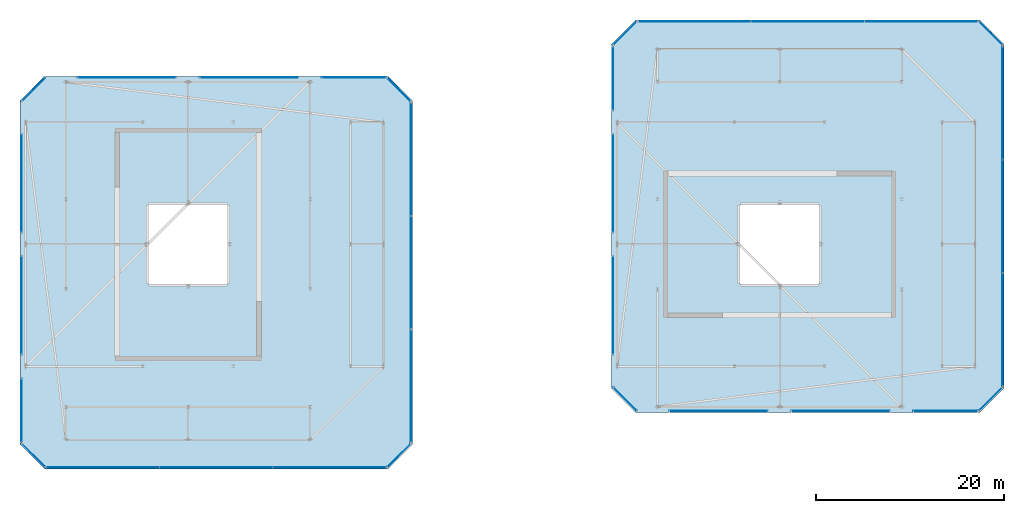
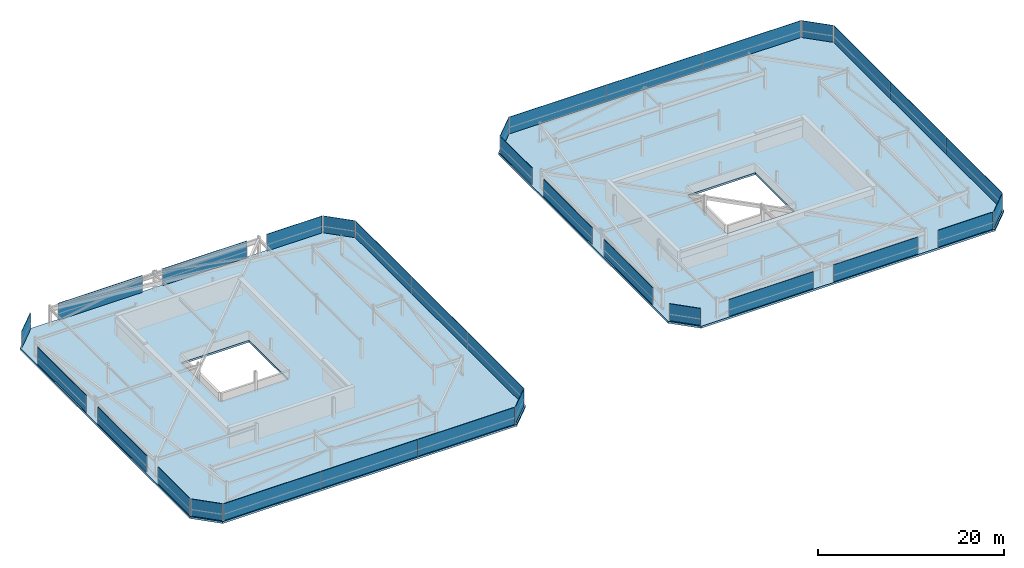
# One storey, part 39 of 44: 32 plates, 2 slabs, 24 elements without a shape of their own.
"""IFC4 building model written with IfcOpenShell, lengths in metres."""

import ifcopenshell
import ifcopenshell.guid

model = None  # the IFC model being written
_history = None  # IfcOwnerHistory: only IFC2X3 demands one
_inside = {}  # id of a spatial element -> (the spatial element, [elements in it])
_under = {}  # id of a project, library or spatial element -> (it, [spatial elements below it])
_declared = {}  # id of a project -> (the project, [libraries it declares])
_typed = {}  # id of a type object -> (the type object, [elements of that type])
_made_of = {}  # id of a material, layer set ... -> (it, [elements and type objects made of it])


def new_model(schema):
    """Start an empty IFC model of exactly this schema.

    Asked for "IFC4X3", IfcOpenShell would pick the latest addendum, in which some entities
    have other attributes; the version numbers below select the first issue.
    IFC2X3 requires an IfcOwnerHistory on every rooted entity: one is made here for all.
    """
    global model, _history
    if schema == "IFC4X3":
        model = ifcopenshell.file(schema_version=(4, 3, 0, 0))
    else:
        model = ifcopenshell.file(schema=schema)
    _inside.clear()
    _under.clear()
    _declared.clear()
    _typed.clear()
    _made_of.clear()
    _history = None
    if model.schema == "IFC2X3":
        org = make("IfcOrganization", Name="unknown")
        user = make(
            "IfcPersonAndOrganization",
            ThePerson=make("IfcPerson", FamilyName="unknown"),
            TheOrganization=org,
        )
        app = make(
            "IfcApplication",
            ApplicationDeveloper=org,
            Version="unknown",
            ApplicationFullName="unknown",
            ApplicationIdentifier="unknown",
        )
        _history = make(
            "IfcOwnerHistory",
            OwningUser=user,
            OwningApplication=app,
            ChangeAction="ADDED",
            CreationDate=0,
        )
    return model


def make(cls, **values):
    """One entity of the class cls with the attributes given. An attribute that is None is left unset."""
    return model.create_entity(
        cls, **{name: value for name, value in values.items() if value is not None}
    )


def rooted(cls, **values):
    """An entity with a GlobalId (a new one), such as an element, a storey or a relation."""
    return make(cls, GlobalId=ifcopenshell.guid.new(), OwnerHistory=_history, **values)


def si_unit(unit_type, name, prefix=None):
    """IfcSIUnit, for example si_unit("LENGTHUNIT", "METRE", prefix="MILLI")."""
    return make("IfcSIUnit", UnitType=unit_type, Prefix=prefix, Name=name)


def assignment(units):
    """IfcUnitAssignment: the units of a project."""
    return None if units is None else make("IfcUnitAssignment", Units=units)


def point(xyz):
    """IfcCartesianPoint."""
    return None if xyz is None else make("IfcCartesianPoint", Coordinates=xyz)


def direction(xyz):
    """IfcDirection."""
    return None if xyz is None else make("IfcDirection", DirectionRatios=xyz)


def frame(location, z_axis=None, x_axis=None):
    """IfcAxis2Placement3D, a coordinate frame: its origin and axes. An axis left out is left unset."""
    return make(
        "IfcAxis2Placement3D",
        Location=point(location),
        Axis=direction(z_axis),
        RefDirection=direction(x_axis),
    )


def frame_2d(location, x_axis=None):
    """IfcAxis2Placement2D, a coordinate frame in the plane: its origin and x axis."""
    return make(
        "IfcAxis2Placement2D", Location=point(location), RefDirection=direction(x_axis)
    )


def origin():
    """The frame at (0, 0, 0) with its axes left unset."""
    return frame((0.0, 0.0, 0.0))


def origin_2d():
    """The frame at (0, 0) in the plane with its x axis left unset."""
    return frame_2d((0.0, 0.0))


def place(relative_to, where):
    """IfcLocalPlacement: puts the frame where relative to a parent placement (None: the world)."""
    return make(
        "IfcLocalPlacement", PlacementRelTo=relative_to, RelativePlacement=where
    )


def context(
    kind, dimensions, precision=None, world=None, true_north=None, identifier=None
):
    """IfcGeometricRepresentationContext, for example the 3D "Model" context."""
    return make(
        "IfcGeometricRepresentationContext",
        ContextIdentifier=identifier,
        ContextType=kind,
        CoordinateSpaceDimension=dimensions,
        Precision=precision,
        WorldCoordinateSystem=world,
        TrueNorth=true_north,
    )


def subcontext(parent, identifier, kind, view, scale=None):
    """IfcGeometricRepresentationSubContext, for example "Body" below "Model"."""
    return make(
        "IfcGeometricRepresentationSubContext",
        ContextIdentifier=identifier,
        ContextType=kind,
        ParentContext=parent,
        TargetScale=scale,
        TargetView=view,
    )


def project(units=None, contexts=None):
    """IfcProject with its units and contexts."""
    return rooted(
        "IfcProject",
        Name="project",
        RepresentationContexts=contexts,
        UnitsInContext=assignment(units),
    )


def spatial(cls, under=None, at=None, **own):
    """A site, building, storey or space (cls), placed at a placement, below another one or the project."""
    s = rooted(cls, ObjectPlacement=at, **own)
    if under is not None:
        _under.setdefault(under.id(), (under, []))[1].append(s)
    return s


def polyline(points):
    """IfcPolyline through the points."""
    return make("IfcPolyline", Points=[point(p) for p in points])


def profile(cls, at=None, kind="AREA", **sizes):
    """A parametric profile (cls). Its sizes go by their IFC names, for example OverallWidth=200.0."""
    return make(cls, ProfileType=kind, Position=at, **sizes)


def rectangle(**sizes):
    """IfcRectangleProfileDef."""
    return profile("IfcRectangleProfileDef", **sizes)


def outline(outer, holes=None, kind="AREA"):
    """IfcArbitraryClosedProfileDef: a profile drawn as a closed curve; with holes, ...WithVoids."""
    if holes is None:
        return make("IfcArbitraryClosedProfileDef", ProfileType=kind, OuterCurve=outer)
    return make(
        "IfcArbitraryProfileDefWithVoids",
        ProfileType=kind,
        OuterCurve=outer,
        InnerCurves=holes,
    )


def extrude(swept, where, along, depth):
    """IfcExtrudedAreaSolid: the profile swept, set in the frame where, extruded along a direction by depth."""
    return make(
        "IfcExtrudedAreaSolid",
        SweptArea=swept,
        Position=where,
        ExtrudedDirection=direction(along),
        Depth=depth,
    )


def shape(context_of_items, identifier, shape_type, items):
    """IfcShapeRepresentation: the items that make up one representation, for example the "Body"."""
    return make(
        "IfcShapeRepresentation",
        ContextOfItems=context_of_items,
        RepresentationIdentifier=identifier,
        RepresentationType=shape_type,
        Items=items,
    )


def material(Name=None, Category=None):
    """IfcMaterial."""
    return make("IfcMaterial", Name=Name, Category=Category)


def layer(
    of_material, thickness, ventilated=None, Name=None, Category=None, Priority=None
):
    """IfcMaterialLayer: one layer of a wall or slab, of a material (None: an air gap)."""
    return make(
        "IfcMaterialLayer",
        Material=of_material,
        LayerThickness=thickness,
        IsVentilated=ventilated,
        Name=Name,
        Category=Category,
        Priority=Priority,
    )


def layer_set(layers, Name=None):
    """IfcMaterialLayerSet."""
    return make("IfcMaterialLayerSet", MaterialLayers=layers, LayerSetName=Name)


def made_of(thing, what):
    """Note that an element or type object is made of a material, layer set ...; save() writes the relation."""
    if what is not None:
        _made_of.setdefault(what.id(), (what, []))[1].append(thing)
    return thing


def type_object(cls, material=None, **own):
    """A type object (cls), such as IfcWallType, which elements share."""
    return made_of(rooted(cls, **own), material)


def element(
    cls,
    number,
    at=None,
    inside=None,
    cuts=None,
    type_object=None,
    material=None,
    context=None,
    identifier="Body",
    shape_type=None,
    held_by="IfcProductDefinitionShape",
    body=None,
    shapes=None,
    **own,
):
    """One element of the class cls, such as IfcWall. Its Tag is "e" and its number.

    at: its placement. inside: the storey or other place that contains it. cuts: it is an
    opening in that element (IfcRelVoidsElement). A single representation is given by context,
    identifier, shape_type and body (its items); several are given by shapes. held_by: the class
    of the entity that holds the representations. save() writes the other relations.
    """
    e = rooted(cls, Tag="e%d" % number, ObjectPlacement=at, **own)
    if body is not None:
        shapes = [shape(context, identifier, shape_type, body)]
    if shapes is not None:
        e.Representation = make(held_by, Representations=shapes)
    if inside is not None:
        _inside.setdefault(inside.id(), (inside, []))[1].append(e)
    if cuts is not None:
        rooted(
            "IfcRelVoidsElement", RelatingBuildingElement=cuts, RelatedOpeningElement=e
        )
    if type_object is not None:
        _typed.setdefault(type_object.id(), (type_object, []))[1].append(e)
    return made_of(e, material)


def aggregate(whole, parts):
    """IfcRelAggregates: a whole, such as a stair, and the parts it consists of."""
    return rooted("IfcRelAggregates", RelatingObject=whole, RelatedObjects=parts)


def save(model, path):
    """Write the relations noted so far, then the file.

    IfcRelAggregates (storeys below a building ...), IfcRelContainedInSpatialStructure (elements
    in a storey), IfcRelDefinesByType, IfcRelAssociatesMaterial and IfcRelDeclares: one each for
    every whole, place, type object, material and project.
    """
    for whole, parts in _under.values():
        aggregate(whole, parts)
    for where, things in _inside.values():
        rooted(
            "IfcRelContainedInSpatialStructure",
            RelatedElements=things,
            RelatingStructure=where,
        )
    for kind, things in _typed.values():
        rooted("IfcRelDefinesByType", RelatedObjects=things, RelatingType=kind)
    for what, things in _made_of.values():
        rooted("IfcRelAssociatesMaterial", RelatedObjects=things, RelatingMaterial=what)
    for by, libraries in _declared.values():
        rooted("IfcRelDeclares", RelatingContext=by, RelatedDefinitions=libraries)
    model.write(path)


model = new_model("IFC4")

# Units and contexts
model_context = context("Model", 3, precision=1e-05, world=origin(), true_north=direction((0.0, 1.0)))
body_context = subcontext(model_context, "Body", "Model", "MODEL_VIEW")
ifc_project = project(units=[si_unit("LENGTHUNIT", "METRE"), si_unit("AREAUNIT", "SQUARE_METRE"), si_unit("VOLUMEUNIT", "CUBIC_METRE"), si_unit("PLANEANGLEUNIT", "RADIAN"), si_unit("MASSUNIT", "GRAM", prefix="KILO")], contexts=[model_context])

# Site, building, storey
site_placement = place(None, origin())
site = spatial("IfcSite", under=ifc_project, at=site_placement, CompositionType="ELEMENT")
building_placement = place(site_placement, origin())
building = spatial("IfcBuilding", under=site, at=building_placement, Name="Thornwick Lancets Civic Towers", CompositionType="ELEMENT")
storey_placement = place(building_placement, frame((0.0, 0.0, 292.199951171875)))
storey = spatial("IfcBuildingStorey", under=building, at=storey_placement, Name="C05", CompositionType="ELEMENT", Elevation=292.199951171875)

# Curtain wall, plates
ifc_material_1 = material(Name="Crown ring acoustic-louvre and glazing screen wall", Category="glass")
curtain_wall_type = type_object("IfcCurtainWallType", Name="CW_SYS_07", PredefinedType="NOTDEFINED", material=ifc_material_1)
curtain_wall_1_placement = place(storey_placement, origin())
curtain_wall_1 = element("IfcCurtainWall", 1, at=curtain_wall_1_placement, inside=storey, type_object=curtain_wall_type, Name="C05 Curtain Wall CW-C05-A-E0", PredefinedType="NOTDEFINED")
ifc_material_2 = material(Name="Terracotta acoustic louvre screen", Category="masonry")
ifc_layer_1 = layer(ifc_material_2, 0.050048828125, Name="Terracotta acoustic louvre screen")
ifc_layer_set_1 = layer_set([ifc_layer_1], Name="Terracotta acoustic louvre screen")
plate_type = type_object("IfcPlateType", Name="CW_PNL_LOUVRE", PredefinedType="SHEET", material=ifc_layer_set_1)
plate_1_placement = place(storey_placement, frame((16.432373046875, 3.2353515625, 0.0), z_axis=(0.0, 0.0, 1.0), x_axis=(1.0, 0.0, 0.0)))
plate_1 = element("IfcPlate", 2, at=plate_1_placement, type_object=plate_type, Name="CW-C05-A-E0 Panel 0", PredefinedType="SHEET", context=body_context, shape_type="SweptSolid", body=[
    extrude(rectangle(XDim=12.063720703125, YDim=0.050048828125, at=origin_2d()), origin(), (0.0, 0.0, 1.0), 2.219970703125),
])
plate_2_placement = place(storey_placement, frame((28.5, 3.2353515625, 0.0), z_axis=(0.0, 0.0, 1.0), x_axis=(1.0, 0.0, 0.0)))
plate_2 = element("IfcPlate", 3, at=plate_2_placement, type_object=plate_type, Name="CW-C05-A-E0 Panel 1", PredefinedType="SHEET", context=body_context, shape_type="SweptSolid", body=[
    extrude(rectangle(XDim=12.063720703125, YDim=0.050048828125, at=origin_2d()), origin(), (0.0, 0.0, 1.0), 2.219970703125),
])
plate_3_placement = place(storey_placement, frame((40.567626953125, 3.2353515625, 0.0), z_axis=(0.0, 0.0, 1.0), x_axis=(1.0, 0.0, 0.0)))
plate_3 = element("IfcPlate", 4, at=plate_3_placement, type_object=plate_type, Name="CW-C05-A-E0 Panel 2", PredefinedType="SHEET", context=body_context, shape_type="SweptSolid", body=[
    extrude(rectangle(XDim=12.063720703125, YDim=0.050048828125, at=origin_2d()), origin(), (0.0, 0.0, 1.0), 2.219970703125),
])
aggregate(curtain_wall_1, [plate_1, plate_2, plate_3])

# Curtain wall, plate
curtain_wall_2_placement = place(storey_placement, origin())
curtain_wall_2 = element("IfcCurtainWall", 5, at=curtain_wall_2_placement, inside=storey, type_object=curtain_wall_type, Name="C05 Curtain Wall CW-C05-A-E1", PredefinedType="NOTDEFINED")
plate_4_placement = place(storey_placement, frame((47.972900390625, 4.527099609375, 0.0), z_axis=(0.0, 0.0, 1.0), x_axis=(0.707106781187, 0.707106781187, 0.0)))
plate_4 = element("IfcPlate", 6, at=plate_4_placement, type_object=plate_type, Name="CW-C05-A-E1 Panel 0", PredefinedType="SHEET", context=body_context, shape_type="SweptSolid", body=[
    extrude(rectangle(XDim=3.4892578125, YDim=0.050048828125, at=origin_2d()), origin(), (0.0, 0.0, 1.0), 2.219970703125),
])
aggregate(curtain_wall_2, [plate_4])

# Curtain wall, plates
curtain_wall_3_placement = place(storey_placement, origin())
curtain_wall_3 = element("IfcCurtainWall", 7, at=curtain_wall_3_placement, inside=storey, type_object=curtain_wall_type, Name="C05 Curtain Wall CW-C05-A-E2", PredefinedType="NOTDEFINED")
plate_5_placement = place(storey_placement, frame((49.2646484375, 11.932373046875, 0.0), z_axis=(0.0, 0.0, 1.0), x_axis=(0.0, 1.0, 0.0)))
plate_5 = element("IfcPlate", 8, at=plate_5_placement, type_object=plate_type, Name="CW-C05-A-E2 Panel 0", PredefinedType="SHEET", context=body_context, shape_type="SweptSolid", body=[
    extrude(rectangle(XDim=12.063720703125, YDim=0.050048828125, at=origin_2d()), origin(), (0.0, 0.0, 1.0), 2.219970703125),
])
plate_6_placement = place(storey_placement, frame((49.2646484375, 24.0, 0.0), z_axis=(0.0, 0.0, 1.0), x_axis=(0.0, 1.0, 0.0)))
plate_6 = element("IfcPlate", 9, at=plate_6_placement, type_object=plate_type, Name="CW-C05-A-E2 Panel 1", PredefinedType="SHEET", context=body_context, shape_type="SweptSolid", body=[
    extrude(rectangle(XDim=12.063720703125, YDim=0.050048828125, at=origin_2d()), origin(), (0.0, 0.0, 1.0), 2.219970703125),
])
plate_7_placement = place(storey_placement, frame((49.2646484375, 36.067626953125, 0.0), z_axis=(0.0, 0.0, 1.0), x_axis=(0.0, 1.0, 0.0)))
plate_7 = element("IfcPlate", 10, at=plate_7_placement, type_object=plate_type, Name="CW-C05-A-E2 Panel 2", PredefinedType="SHEET", context=body_context, shape_type="SweptSolid", body=[
    extrude(rectangle(XDim=12.063720703125, YDim=0.050048828125, at=origin_2d()), origin(), (0.0, 0.0, 1.0), 2.219970703125),
])
aggregate(curtain_wall_3, [plate_5, plate_6, plate_7])

# Curtain wall, plate
curtain_wall_4_placement = place(storey_placement, origin())
curtain_wall_4 = element("IfcCurtainWall", 11, at=curtain_wall_4_placement, inside=storey, type_object=curtain_wall_type, Name="C05 Curtain Wall CW-C05-A-E3", PredefinedType="NOTDEFINED")
plate_8_placement = place(storey_placement, frame((47.972900390625, 43.472900390625, 0.0), z_axis=(0.0, 0.0, 1.0), x_axis=(-0.707106781187, 0.707106781187, 0.0)))
plate_8 = element("IfcPlate", 12, at=plate_8_placement, type_object=plate_type, Name="CW-C05-A-E3 Panel 0", PredefinedType="SHEET", context=body_context, shape_type="SweptSolid", body=[
    extrude(rectangle(XDim=3.4892578125, YDim=0.050048828125, at=origin_2d()), origin(), (0.0, 0.0, 1.0), 2.219970703125),
])
aggregate(curtain_wall_4, [plate_8])

curtain_wall_5_placement = place(storey_placement, origin())
curtain_wall_5 = element("IfcCurtainWall", 13, at=curtain_wall_5_placement, inside=storey, type_object=curtain_wall_type, Name="C05 Curtain Wall CW-C05-A-E4-S1", PredefinedType="NOTDEFINED")
plate_9_placement = place(storey_placement, frame((43.17578125, 44.7646484375, 0.0), z_axis=(0.0, 0.0, 1.0), x_axis=(-1.0, 0.0, 0.0)))
plate_9 = element("IfcPlate", 14, at=plate_9_placement, type_object=plate_type, Name="CW-C05-A-E4-S1 Panel 0", PredefinedType="SHEET", context=body_context, shape_type="SweptSolid", body=[
    extrude(rectangle(XDim=6.847412109375, YDim=0.050048828125, at=origin_2d()), origin(), (0.0, 0.0, 1.0), 2.219970703125),
])
aggregate(curtain_wall_5, [plate_9])

curtain_wall_6_placement = place(storey_placement, origin())
curtain_wall_6 = element("IfcCurtainWall", 15, at=curtain_wall_6_placement, inside=storey, type_object=curtain_wall_type, Name="C05 Curtain Wall CW-C05-A-E4-S2", PredefinedType="NOTDEFINED")
plate_10_placement = place(storey_placement, frame((32.0, 44.7646484375, 0.0), z_axis=(0.0, 0.0, 1.0), x_axis=(-1.0, 0.0, 0.0)))
plate_10 = element("IfcPlate", 16, at=plate_10_placement, type_object=plate_type, Name="CW-C05-A-E4-S2 Panel 0", PredefinedType="SHEET", context=body_context, shape_type="SweptSolid", body=[
    extrude(rectangle(XDim=10.49609375, YDim=0.050048828125, at=origin_2d()), origin(), (0.0, 0.0, 1.0), 2.219970703125),
])
aggregate(curtain_wall_6, [plate_10])

curtain_wall_7_placement = place(storey_placement, origin())
curtain_wall_7 = element("IfcCurtainWall", 17, at=curtain_wall_7_placement, inside=storey, type_object=curtain_wall_type, Name="C05 Curtain Wall CW-C05-A-E4-S3", PredefinedType="NOTDEFINED")
plate_11_placement = place(storey_placement, frame((19.0, 44.7646484375, 0.0), z_axis=(0.0, 0.0, 1.0), x_axis=(-1.0, 0.0, 0.0)))
plate_11 = element("IfcPlate", 18, at=plate_11_placement, type_object=plate_type, Name="CW-C05-A-E4-S3 Panel 0", PredefinedType="SHEET", context=body_context, shape_type="SweptSolid", body=[
    extrude(rectangle(XDim=10.49609375, YDim=0.050048828125, at=origin_2d()), origin(), (0.0, 0.0, 1.0), 2.219970703125),
])
aggregate(curtain_wall_7, [plate_11])

curtain_wall_8_placement = place(storey_placement, origin())
curtain_wall_8 = element("IfcCurtainWall", 19, at=curtain_wall_8_placement, inside=storey, type_object=curtain_wall_type, Name="C05 Curtain Wall CW-C05-A-E5", PredefinedType="NOTDEFINED")
plate_12_placement = place(storey_placement, frame((9.027099609375, 43.472900390625, 0.0), z_axis=(0.0, 0.0, 1.0), x_axis=(-0.707106781187, -0.707106781187, 0.0)))
plate_12 = element("IfcPlate", 20, at=plate_12_placement, type_object=plate_type, Name="CW-C05-A-E5 Panel 0", PredefinedType="SHEET", context=body_context, shape_type="SweptSolid", body=[
    extrude(rectangle(XDim=3.4892578125, YDim=0.050048828125, at=origin_2d()), origin(), (0.0, 0.0, 1.0), 2.219970703125),
])
aggregate(curtain_wall_8, [plate_12])

curtain_wall_9_placement = place(storey_placement, origin())
curtain_wall_9 = element("IfcCurtainWall", 21, at=curtain_wall_9_placement, inside=storey, type_object=curtain_wall_type, Name="C05 Curtain Wall CW-C05-A-E6-S1", PredefinedType="NOTDEFINED")
plate_13_placement = place(storey_placement, frame((7.7353515625, 33.5, 0.0), z_axis=(0.0, 0.0, 1.0), x_axis=(0.0, -1.0, 0.0)))
plate_13 = element("IfcPlate", 22, at=plate_13_placement, type_object=plate_type, Name="CW-C05-A-E6-S1 Panel 0", PredefinedType="SHEET", context=body_context, shape_type="SweptSolid", body=[
    extrude(rectangle(XDim=10.49609375, YDim=0.050048828125, at=origin_2d()), origin(), (0.0, 0.0, 1.0), 2.219970703125),
])
aggregate(curtain_wall_9, [plate_13])

curtain_wall_10_placement = place(storey_placement, origin())
curtain_wall_10 = element("IfcCurtainWall", 23, at=curtain_wall_10_placement, inside=storey, type_object=curtain_wall_type, Name="C05 Curtain Wall CW-C05-A-E6-S2", PredefinedType="NOTDEFINED")
plate_14_placement = place(storey_placement, frame((7.7353515625, 20.5, 0.0), z_axis=(0.0, 0.0, 1.0), x_axis=(0.0, -1.0, 0.0)))
plate_14 = element("IfcPlate", 24, at=plate_14_placement, type_object=plate_type, Name="CW-C05-A-E6-S2 Panel 0", PredefinedType="SHEET", context=body_context, shape_type="SweptSolid", body=[
    extrude(rectangle(XDim=10.49609375, YDim=0.050048828125, at=origin_2d()), origin(), (0.0, 0.0, 1.0), 2.219970703125),
])
aggregate(curtain_wall_10, [plate_14])

curtain_wall_11_placement = place(storey_placement, origin())
curtain_wall_11 = element("IfcCurtainWall", 25, at=curtain_wall_11_placement, inside=storey, type_object=curtain_wall_type, Name="C05 Curtain Wall CW-C05-A-E6-S3", PredefinedType="NOTDEFINED")
plate_15_placement = place(storey_placement, frame((7.7353515625, 9.32421875, 0.0), z_axis=(0.0, 0.0, 1.0), x_axis=(0.0, -1.0, 0.0)))
plate_15 = element("IfcPlate", 26, at=plate_15_placement, type_object=plate_type, Name="CW-C05-A-E6-S3 Panel 0", PredefinedType="SHEET", context=body_context, shape_type="SweptSolid", body=[
    extrude(rectangle(XDim=6.847412109375, YDim=0.050048828125, at=origin_2d()), origin(), (0.0, 0.0, 1.0), 2.219970703125),
])
aggregate(curtain_wall_11, [plate_15])

curtain_wall_12_placement = place(storey_placement, origin())
curtain_wall_12 = element("IfcCurtainWall", 27, at=curtain_wall_12_placement, inside=storey, type_object=curtain_wall_type, Name="C05 Curtain Wall CW-C05-A-E7", PredefinedType="NOTDEFINED")
plate_16_placement = place(storey_placement, frame((9.027099609375, 4.527099609375, 0.0), z_axis=(0.0, 0.0, 1.0), x_axis=(0.707106781187, -0.707106781187, 0.0)))
plate_16 = element("IfcPlate", 28, at=plate_16_placement, type_object=plate_type, Name="CW-C05-A-E7 Panel 0", PredefinedType="SHEET", context=body_context, shape_type="SweptSolid", body=[
    extrude(rectangle(XDim=3.4892578125, YDim=0.050048828125, at=origin_2d()), origin(), (0.0, 0.0, 1.0), 2.219970703125),
])
aggregate(curtain_wall_12, [plate_16])

curtain_wall_13_placement = place(storey_placement, origin())
curtain_wall_13 = element("IfcCurtainWall", 29, at=curtain_wall_13_placement, inside=storey, type_object=curtain_wall_type, Name="C05 Curtain Wall CW-C05-B-E0-S1", PredefinedType="NOTDEFINED")
plate_17_placement = place(storey_placement, frame((82.0, 9.2353515625, 0.0), z_axis=(0.0, 0.0, 1.0), x_axis=(1.0, 0.0, 0.0)))
plate_17 = element("IfcPlate", 30, at=plate_17_placement, type_object=plate_type, Name="CW-C05-B-E0-S1 Panel 0", PredefinedType="SHEET", context=body_context, shape_type="SweptSolid", body=[
    extrude(rectangle(XDim=10.49609375, YDim=0.050048828125, at=origin_2d()), origin(), (0.0, 0.0, 1.0), 2.219970703125),
])
aggregate(curtain_wall_13, [plate_17])

curtain_wall_14_placement = place(storey_placement, origin())
curtain_wall_14 = element("IfcCurtainWall", 31, at=curtain_wall_14_placement, inside=storey, type_object=curtain_wall_type, Name="C05 Curtain Wall CW-C05-B-E0-S2", PredefinedType="NOTDEFINED")
plate_18_placement = place(storey_placement, frame((95.0, 9.2353515625, 0.0), z_axis=(0.0, 0.0, 1.0), x_axis=(1.0, 0.0, 0.0)))
plate_18 = element("IfcPlate", 32, at=plate_18_placement, type_object=plate_type, Name="CW-C05-B-E0-S2 Panel 0", PredefinedType="SHEET", context=body_context, shape_type="SweptSolid", body=[
    extrude(rectangle(XDim=10.49609375, YDim=0.050048828125, at=origin_2d()), origin(), (0.0, 0.0, 1.0), 2.219970703125),
])
aggregate(curtain_wall_14, [plate_18])

curtain_wall_15_placement = place(storey_placement, origin())
curtain_wall_15 = element("IfcCurtainWall", 33, at=curtain_wall_15_placement, inside=storey, type_object=curtain_wall_type, Name="C05 Curtain Wall CW-C05-B-E0-S3", PredefinedType="NOTDEFINED")
plate_19_placement = place(storey_placement, frame((106.17578125, 9.2353515625, 0.0), z_axis=(0.0, 0.0, 1.0), x_axis=(1.0, 0.0, 0.0)))
plate_19 = element("IfcPlate", 34, at=plate_19_placement, type_object=plate_type, Name="CW-C05-B-E0-S3 Panel 0", PredefinedType="SHEET", context=body_context, shape_type="SweptSolid", body=[
    extrude(rectangle(XDim=6.847412109375, YDim=0.050048828125, at=origin_2d()), origin(), (0.0, 0.0, 1.0), 2.219970703125),
])
aggregate(curtain_wall_15, [plate_19])

curtain_wall_16_placement = place(storey_placement, origin())
curtain_wall_16 = element("IfcCurtainWall", 35, at=curtain_wall_16_placement, inside=storey, type_object=curtain_wall_type, Name="C05 Curtain Wall CW-C05-B-E1", PredefinedType="NOTDEFINED")
plate_20_placement = place(storey_placement, frame((110.972900390625, 10.527099609375, 0.0), z_axis=(0.0, 0.0, 1.0), x_axis=(0.707106781187, 0.707106781187, 0.0)))
plate_20 = element("IfcPlate", 36, at=plate_20_placement, type_object=plate_type, Name="CW-C05-B-E1 Panel 0", PredefinedType="SHEET", context=body_context, shape_type="SweptSolid", body=[
    extrude(rectangle(XDim=3.4892578125, YDim=0.050048828125, at=origin_2d()), origin(), (0.0, 0.0, 1.0), 2.219970703125),
])
aggregate(curtain_wall_16, [plate_20])

# Curtain wall, plates
curtain_wall_17_placement = place(storey_placement, origin())
curtain_wall_17 = element("IfcCurtainWall", 37, at=curtain_wall_17_placement, inside=storey, type_object=curtain_wall_type, Name="C05 Curtain Wall CW-C05-B-E2", PredefinedType="NOTDEFINED")
plate_21_placement = place(storey_placement, frame((112.2646484375, 17.932373046875, 0.0), z_axis=(0.0, 0.0, 1.0), x_axis=(0.0, 1.0, 0.0)))
plate_21 = element("IfcPlate", 38, at=plate_21_placement, type_object=plate_type, Name="CW-C05-B-E2 Panel 0", PredefinedType="SHEET", context=body_context, shape_type="SweptSolid", body=[
    extrude(rectangle(XDim=12.063720703125, YDim=0.050048828125, at=origin_2d()), origin(), (0.0, 0.0, 1.0), 2.219970703125),
])
plate_22_placement = place(storey_placement, frame((112.2646484375, 30.0, 0.0), z_axis=(0.0, 0.0, 1.0), x_axis=(0.0, 1.0, 0.0)))
plate_22 = element("IfcPlate", 39, at=plate_22_placement, type_object=plate_type, Name="CW-C05-B-E2 Panel 1", PredefinedType="SHEET", context=body_context, shape_type="SweptSolid", body=[
    extrude(rectangle(XDim=12.063720703125, YDim=0.050048828125, at=origin_2d()), origin(), (0.0, 0.0, 1.0), 2.219970703125),
])
plate_23_placement = place(storey_placement, frame((112.2646484375, 42.067626953125, 0.0), z_axis=(0.0, 0.0, 1.0), x_axis=(0.0, 1.0, 0.0)))
plate_23 = element("IfcPlate", 40, at=plate_23_placement, type_object=plate_type, Name="CW-C05-B-E2 Panel 2", PredefinedType="SHEET", context=body_context, shape_type="SweptSolid", body=[
    extrude(rectangle(XDim=12.063720703125, YDim=0.050048828125, at=origin_2d()), origin(), (0.0, 0.0, 1.0), 2.219970703125),
])
aggregate(curtain_wall_17, [plate_21, plate_22, plate_23])

# Curtain wall, plate
curtain_wall_18_placement = place(storey_placement, origin())
curtain_wall_18 = element("IfcCurtainWall", 41, at=curtain_wall_18_placement, inside=storey, type_object=curtain_wall_type, Name="C05 Curtain Wall CW-C05-B-E3", PredefinedType="NOTDEFINED")
plate_24_placement = place(storey_placement, frame((110.972900390625, 49.472900390625, 0.0), z_axis=(0.0, 0.0, 1.0), x_axis=(-0.707106781187, 0.707106781187, 0.0)))
plate_24 = element("IfcPlate", 42, at=plate_24_placement, type_object=plate_type, Name="CW-C05-B-E3 Panel 0", PredefinedType="SHEET", context=body_context, shape_type="SweptSolid", body=[
    extrude(rectangle(XDim=3.4892578125, YDim=0.050048828125, at=origin_2d()), origin(), (0.0, 0.0, 1.0), 2.219970703125),
])
aggregate(curtain_wall_18, [plate_24])

# Curtain wall, plates
curtain_wall_19_placement = place(storey_placement, origin())
curtain_wall_19 = element("IfcCurtainWall", 43, at=curtain_wall_19_placement, inside=storey, type_object=curtain_wall_type, Name="C05 Curtain Wall CW-C05-B-E4", PredefinedType="NOTDEFINED")
plate_25_placement = place(storey_placement, frame((103.567626953125, 50.7646484375, 0.0), z_axis=(0.0, 0.0, 1.0), x_axis=(-1.0, 0.0, 0.0)))
plate_25 = element("IfcPlate", 44, at=plate_25_placement, type_object=plate_type, Name="CW-C05-B-E4 Panel 0", PredefinedType="SHEET", context=body_context, shape_type="SweptSolid", body=[
    extrude(rectangle(XDim=12.063720703125, YDim=0.050048828125, at=origin_2d()), origin(), (0.0, 0.0, 1.0), 2.219970703125),
])
plate_26_placement = place(storey_placement, frame((91.5, 50.7646484375, 0.0), z_axis=(0.0, 0.0, 1.0), x_axis=(-1.0, 0.0, 0.0)))
plate_26 = element("IfcPlate", 45, at=plate_26_placement, type_object=plate_type, Name="CW-C05-B-E4 Panel 1", PredefinedType="SHEET", context=body_context, shape_type="SweptSolid", body=[
    extrude(rectangle(XDim=12.063720703125, YDim=0.050048828125, at=origin_2d()), origin(), (0.0, 0.0, 1.0), 2.219970703125),
])
plate_27_placement = place(storey_placement, frame((79.432373046875, 50.7646484375, 0.0), z_axis=(0.0, 0.0, 1.0), x_axis=(-1.0, 0.0, 0.0)))
plate_27 = element("IfcPlate", 46, at=plate_27_placement, type_object=plate_type, Name="CW-C05-B-E4 Panel 2", PredefinedType="SHEET", context=body_context, shape_type="SweptSolid", body=[
    extrude(rectangle(XDim=12.063720703125, YDim=0.050048828125, at=origin_2d()), origin(), (0.0, 0.0, 1.0), 2.219970703125),
])
aggregate(curtain_wall_19, [plate_25, plate_26, plate_27])

# Curtain wall, plate
curtain_wall_20_placement = place(storey_placement, origin())
curtain_wall_20 = element("IfcCurtainWall", 47, at=curtain_wall_20_placement, inside=storey, type_object=curtain_wall_type, Name="C05 Curtain Wall CW-C05-B-E5", PredefinedType="NOTDEFINED")
plate_28_placement = place(storey_placement, frame((72.027099609375, 49.472900390625, 0.0), z_axis=(0.0, 0.0, 1.0), x_axis=(-0.707106781187, -0.707106781187, 0.0)))
plate_28 = element("IfcPlate", 48, at=plate_28_placement, type_object=plate_type, Name="CW-C05-B-E5 Panel 0", PredefinedType="SHEET", context=body_context, shape_type="SweptSolid", body=[
    extrude(rectangle(XDim=3.4892578125, YDim=0.050048828125, at=origin_2d()), origin(), (0.0, 0.0, 1.0), 2.219970703125),
])
aggregate(curtain_wall_20, [plate_28])

curtain_wall_21_placement = place(storey_placement, origin())
curtain_wall_21 = element("IfcCurtainWall", 49, at=curtain_wall_21_placement, inside=storey, type_object=curtain_wall_type, Name="C05 Curtain Wall CW-C05-B-E6-S1", PredefinedType="NOTDEFINED")
plate_29_placement = place(storey_placement, frame((70.7353515625, 44.67578125, 0.0), z_axis=(0.0, 0.0, 1.0), x_axis=(0.0, -1.0, 0.0)))
plate_29 = element("IfcPlate", 50, at=plate_29_placement, type_object=plate_type, Name="CW-C05-B-E6-S1 Panel 0", PredefinedType="SHEET", context=body_context, shape_type="SweptSolid", body=[
    extrude(rectangle(XDim=6.847412109375, YDim=0.050048828125, at=origin_2d()), origin(), (0.0, 0.0, 1.0), 2.219970703125),
])
aggregate(curtain_wall_21, [plate_29])

curtain_wall_22_placement = place(storey_placement, origin())
curtain_wall_22 = element("IfcCurtainWall", 51, at=curtain_wall_22_placement, inside=storey, type_object=curtain_wall_type, Name="C05 Curtain Wall CW-C05-B-E6-S2", PredefinedType="NOTDEFINED")
plate_30_placement = place(storey_placement, frame((70.7353515625, 33.5, 0.0), z_axis=(0.0, 0.0, 1.0), x_axis=(0.0, -1.0, 0.0)))
plate_30 = element("IfcPlate", 52, at=plate_30_placement, type_object=plate_type, Name="CW-C05-B-E6-S2 Panel 0", PredefinedType="SHEET", context=body_context, shape_type="SweptSolid", body=[
    extrude(rectangle(XDim=10.49609375, YDim=0.050048828125, at=origin_2d()), origin(), (0.0, 0.0, 1.0), 2.219970703125),
])
aggregate(curtain_wall_22, [plate_30])

curtain_wall_23_placement = place(storey_placement, origin())
curtain_wall_23 = element("IfcCurtainWall", 53, at=curtain_wall_23_placement, inside=storey, type_object=curtain_wall_type, Name="C05 Curtain Wall CW-C05-B-E6-S3", PredefinedType="NOTDEFINED")
plate_31_placement = place(storey_placement, frame((70.7353515625, 20.5, 0.0), z_axis=(0.0, 0.0, 1.0), x_axis=(0.0, -1.0, 0.0)))
plate_31 = element("IfcPlate", 54, at=plate_31_placement, type_object=plate_type, Name="CW-C05-B-E6-S3 Panel 0", PredefinedType="SHEET", context=body_context, shape_type="SweptSolid", body=[
    extrude(rectangle(XDim=10.49609375, YDim=0.050048828125, at=origin_2d()), origin(), (0.0, 0.0, 1.0), 2.219970703125),
])
aggregate(curtain_wall_23, [plate_31])

curtain_wall_24_placement = place(storey_placement, origin())
curtain_wall_24 = element("IfcCurtainWall", 55, at=curtain_wall_24_placement, inside=storey, type_object=curtain_wall_type, Name="C05 Curtain Wall CW-C05-B-E7", PredefinedType="NOTDEFINED")
plate_32_placement = place(storey_placement, frame((72.027099609375, 10.527099609375, 0.0), z_axis=(0.0, 0.0, 1.0), x_axis=(0.707106781187, -0.707106781187, 0.0)))
plate_32 = element("IfcPlate", 56, at=plate_32_placement, type_object=plate_type, Name="CW-C05-B-E7 Panel 0", PredefinedType="SHEET", context=body_context, shape_type="SweptSolid", body=[
    extrude(rectangle(XDim=3.4892578125, YDim=0.050048828125, at=origin_2d()), origin(), (0.0, 0.0, 1.0), 2.219970703125),
])
aggregate(curtain_wall_24, [plate_32])

# Slabs
ifc_material_3 = material(Name="Concrete C40/50", Category="concrete")
ifc_layer_2 = layer(ifc_material_3, 0.260009765625, Name="Concrete C40/50")
ifc_layer_set_2 = layer_set([ifc_layer_2], Name="Concrete C40/50")
slab_type = type_object("IfcSlabType", Name="SLAB_ROOF_260", PredefinedType="ROOF", material=ifc_layer_set_2)
slab_1_placement = place(storey_placement, frame((0.0, 0.0, -0.260009765625)))
element("IfcSlab", 57, at=slab_1_placement, inside=storey, type_object=slab_type, Name="C05 Tower A Crown Structural Ring Deck", PredefinedType="ROOF", context=body_context, shape_type="SweptSolid", body=[
    extrude(outline(polyline([(10.199951171875, 3.10009765625), (46.800048828125, 3.10009765625), (49.39990234375, 5.699951171875), (49.39990234375, 42.300048828125), (46.800048828125, 44.89990234375), (10.199951171875, 44.89990234375), (7.60009765625, 42.300048828125), (7.60009765625, 5.699951171875), (10.199951171875, 3.10009765625)]), holes=[polyline([(21.300048828125, 22.800048828125), (29.699951171875, 22.800048828125), (29.699951171875, 31.199951171875), (21.300048828125, 31.199951171875), (21.300048828125, 22.800048828125)])]), origin(), (0.0, 0.0, 1.0), 0.260009765625),
])
slab_2_placement = place(storey_placement, frame((0.0, 0.0, -0.260009765625)))
element("IfcSlab", 58, at=slab_2_placement, inside=storey, type_object=slab_type, Name="C05 Tower B Crown Structural Ring Deck", PredefinedType="ROOF", context=body_context, shape_type="SweptSolid", body=[
    extrude(outline(polyline([(73.199951171875, 9.10009765625), (109.800048828125, 9.10009765625), (112.39990234375, 11.699951171875), (112.39990234375, 48.300048828125), (109.800048828125, 50.89990234375), (73.199951171875, 50.89990234375), (70.60009765625, 48.300048828125), (70.60009765625, 11.699951171875), (73.199951171875, 9.10009765625)]), holes=[polyline([(84.300048828125, 22.800048828125), (92.699951171875, 22.800048828125), (92.699951171875, 31.199951171875), (84.300048828125, 31.199951171875), (84.300048828125, 22.800048828125)])]), origin(), (0.0, 0.0, 1.0), 0.260009765625),
])

save(model, "model.ifc")
